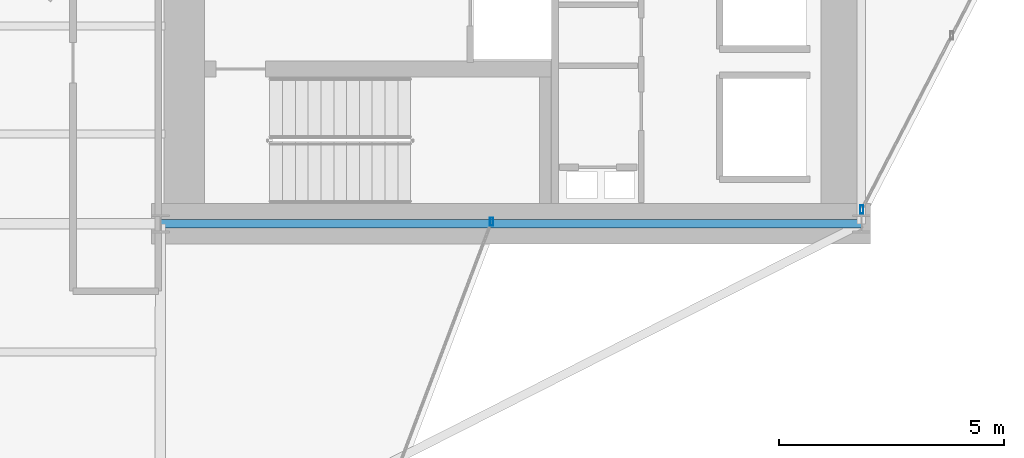
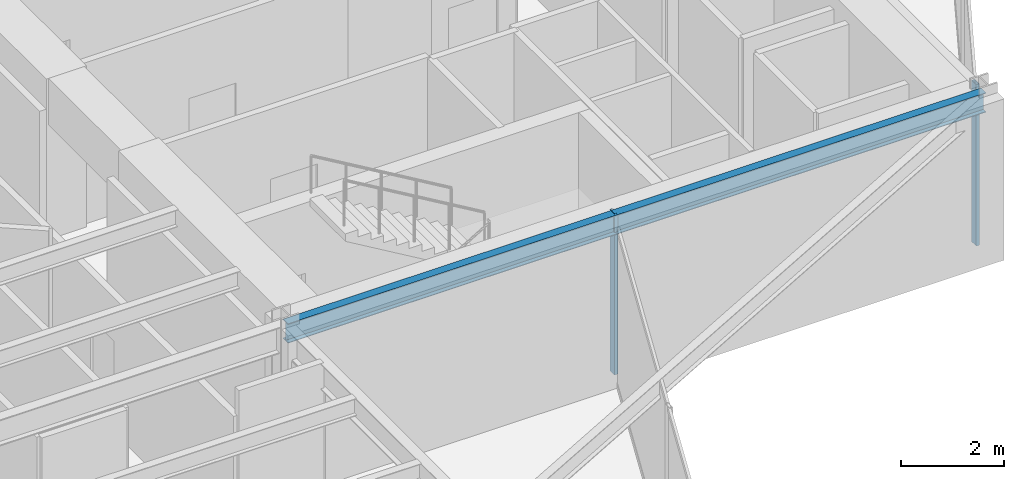
# One storey, part 15 of 29: 2 members, 1 beam, 2 elements without a shape of their own.
"""IFC4 building model written with IfcOpenShell, lengths in metres."""

import ifcopenshell
import ifcopenshell.guid

model = None  # the IFC model being written
_history = None  # IfcOwnerHistory: only IFC2X3 demands one
_inside = {}  # id of a spatial element -> (the spatial element, [elements in it])
_under = {}  # id of a project, library or spatial element -> (it, [spatial elements below it])
_declared = {}  # id of a project -> (the project, [libraries it declares])
_typed = {}  # id of a type object -> (the type object, [elements of that type])
_made_of = {}  # id of a material, layer set ... -> (it, [elements and type objects made of it])


def new_model(schema):
    """Start an empty IFC model of exactly this schema.

    Asked for "IFC4X3", IfcOpenShell would pick the latest addendum, in which some entities
    have other attributes; the version numbers below select the first issue.
    IFC2X3 requires an IfcOwnerHistory on every rooted entity: one is made here for all.
    """
    global model, _history
    if schema == "IFC4X3":
        model = ifcopenshell.file(schema_version=(4, 3, 0, 0))
    else:
        model = ifcopenshell.file(schema=schema)
    _inside.clear()
    _under.clear()
    _declared.clear()
    _typed.clear()
    _made_of.clear()
    _history = None
    if model.schema == "IFC2X3":
        org = make("IfcOrganization", Name="unknown")
        user = make(
            "IfcPersonAndOrganization",
            ThePerson=make("IfcPerson", FamilyName="unknown"),
            TheOrganization=org,
        )
        app = make(
            "IfcApplication",
            ApplicationDeveloper=org,
            Version="unknown",
            ApplicationFullName="unknown",
            ApplicationIdentifier="unknown",
        )
        _history = make(
            "IfcOwnerHistory",
            OwningUser=user,
            OwningApplication=app,
            ChangeAction="ADDED",
            CreationDate=0,
        )
    return model


def make(cls, **values):
    """One entity of the class cls with the attributes given. An attribute that is None is left unset."""
    return model.create_entity(
        cls, **{name: value for name, value in values.items() if value is not None}
    )


def rooted(cls, **values):
    """An entity with a GlobalId (a new one), such as an element, a storey or a relation."""
    return make(cls, GlobalId=ifcopenshell.guid.new(), OwnerHistory=_history, **values)


def si_unit(unit_type, name, prefix=None):
    """IfcSIUnit, for example si_unit("LENGTHUNIT", "METRE", prefix="MILLI")."""
    return make("IfcSIUnit", UnitType=unit_type, Prefix=prefix, Name=name)


def assignment(units):
    """IfcUnitAssignment: the units of a project."""
    return None if units is None else make("IfcUnitAssignment", Units=units)


def point(xyz):
    """IfcCartesianPoint."""
    return None if xyz is None else make("IfcCartesianPoint", Coordinates=xyz)


def direction(xyz):
    """IfcDirection."""
    return None if xyz is None else make("IfcDirection", DirectionRatios=xyz)


def frame(location, z_axis=None, x_axis=None):
    """IfcAxis2Placement3D, a coordinate frame: its origin and axes. An axis left out is left unset."""
    return make(
        "IfcAxis2Placement3D",
        Location=point(location),
        Axis=direction(z_axis),
        RefDirection=direction(x_axis),
    )


def frame_2d(location, x_axis=None):
    """IfcAxis2Placement2D, a coordinate frame in the plane: its origin and x axis."""
    return make(
        "IfcAxis2Placement2D", Location=point(location), RefDirection=direction(x_axis)
    )


def origin():
    """The frame at (0, 0, 0) with its axes left unset."""
    return frame((0.0, 0.0, 0.0))


def origin_2d():
    """The frame at (0, 0) in the plane with its x axis left unset."""
    return frame_2d((0.0, 0.0))


def place(relative_to, where):
    """IfcLocalPlacement: puts the frame where relative to a parent placement (None: the world)."""
    return make(
        "IfcLocalPlacement", PlacementRelTo=relative_to, RelativePlacement=where
    )


def context(
    kind, dimensions, precision=None, world=None, true_north=None, identifier=None
):
    """IfcGeometricRepresentationContext, for example the 3D "Model" context."""
    return make(
        "IfcGeometricRepresentationContext",
        ContextIdentifier=identifier,
        ContextType=kind,
        CoordinateSpaceDimension=dimensions,
        Precision=precision,
        WorldCoordinateSystem=world,
        TrueNorth=true_north,
    )


def subcontext(parent, identifier, kind, view, scale=None):
    """IfcGeometricRepresentationSubContext, for example "Body" below "Model"."""
    return make(
        "IfcGeometricRepresentationSubContext",
        ContextIdentifier=identifier,
        ContextType=kind,
        ParentContext=parent,
        TargetScale=scale,
        TargetView=view,
    )


def project(units=None, contexts=None):
    """IfcProject with its units and contexts."""
    return rooted(
        "IfcProject",
        Name="project",
        RepresentationContexts=contexts,
        UnitsInContext=assignment(units),
    )


def spatial(cls, under=None, at=None, **own):
    """A site, building, storey or space (cls), placed at a placement, below another one or the project."""
    s = rooted(cls, ObjectPlacement=at, **own)
    if under is not None:
        _under.setdefault(under.id(), (under, []))[1].append(s)
    return s


def profile(cls, at=None, kind="AREA", **sizes):
    """A parametric profile (cls). Its sizes go by their IFC names, for example OverallWidth=200.0."""
    return make(cls, ProfileType=kind, Position=at, **sizes)


def hollow_rectangle(**sizes):
    """IfcRectangleHollowProfileDef."""
    return profile("IfcRectangleHollowProfileDef", **sizes)


def i_section(**sizes):
    """IfcIShapeProfileDef."""
    return profile("IfcIShapeProfileDef", **sizes)


def extrude(swept, where, along, depth):
    """IfcExtrudedAreaSolid: the profile swept, set in the frame where, extruded along a direction by depth."""
    return make(
        "IfcExtrudedAreaSolid",
        SweptArea=swept,
        Position=where,
        ExtrudedDirection=direction(along),
        Depth=depth,
    )


def shape(context_of_items, identifier, shape_type, items):
    """IfcShapeRepresentation: the items that make up one representation, for example the "Body"."""
    return make(
        "IfcShapeRepresentation",
        ContextOfItems=context_of_items,
        RepresentationIdentifier=identifier,
        RepresentationType=shape_type,
        Items=items,
    )


def material(Name=None, Category=None):
    """IfcMaterial."""
    return make("IfcMaterial", Name=Name, Category=Category)


def layer(
    of_material, thickness, ventilated=None, Name=None, Category=None, Priority=None
):
    """IfcMaterialLayer: one layer of a wall or slab, of a material (None: an air gap)."""
    return make(
        "IfcMaterialLayer",
        Material=of_material,
        LayerThickness=thickness,
        IsVentilated=ventilated,
        Name=Name,
        Category=Category,
        Priority=Priority,
    )


def layer_set(layers, Name=None):
    """IfcMaterialLayerSet."""
    return make("IfcMaterialLayerSet", MaterialLayers=layers, LayerSetName=Name)


def material_profile(
    of_material, cross_section, Name=None, Category=None, Priority=None
):
    """IfcMaterialProfile: a cross section and its material."""
    return make(
        "IfcMaterialProfile",
        Name=Name,
        Material=of_material,
        Profile=cross_section,
        Priority=Priority,
        Category=Category,
    )


def profile_set(profiles, Name=None, composite=None):
    """IfcMaterialProfileSet."""
    return make(
        "IfcMaterialProfileSet",
        Name=Name,
        MaterialProfiles=profiles,
        CompositeProfile=composite,
    )


def made_of(thing, what):
    """Note that an element or type object is made of a material, layer set ...; save() writes the relation."""
    if what is not None:
        _made_of.setdefault(what.id(), (what, []))[1].append(thing)
    return thing


def type_object(cls, material=None, **own):
    """A type object (cls), such as IfcWallType, which elements share."""
    return made_of(rooted(cls, **own), material)


def element(
    cls,
    number,
    at=None,
    inside=None,
    cuts=None,
    type_object=None,
    material=None,
    context=None,
    identifier="Body",
    shape_type=None,
    held_by="IfcProductDefinitionShape",
    body=None,
    shapes=None,
    **own,
):
    """One element of the class cls, such as IfcWall. Its Tag is "e" and its number.

    at: its placement. inside: the storey or other place that contains it. cuts: it is an
    opening in that element (IfcRelVoidsElement). A single representation is given by context,
    identifier, shape_type and body (its items); several are given by shapes. held_by: the class
    of the entity that holds the representations. save() writes the other relations.
    """
    e = rooted(cls, Tag="e%d" % number, ObjectPlacement=at, **own)
    if body is not None:
        shapes = [shape(context, identifier, shape_type, body)]
    if shapes is not None:
        e.Representation = make(held_by, Representations=shapes)
    if inside is not None:
        _inside.setdefault(inside.id(), (inside, []))[1].append(e)
    if cuts is not None:
        rooted(
            "IfcRelVoidsElement", RelatingBuildingElement=cuts, RelatedOpeningElement=e
        )
    if type_object is not None:
        _typed.setdefault(type_object.id(), (type_object, []))[1].append(e)
    return made_of(e, material)


def aggregate(whole, parts):
    """IfcRelAggregates: a whole, such as a stair, and the parts it consists of."""
    return rooted("IfcRelAggregates", RelatingObject=whole, RelatedObjects=parts)


def save(model, path):
    """Write the relations noted so far, then the file.

    IfcRelAggregates (storeys below a building ...), IfcRelContainedInSpatialStructure (elements
    in a storey), IfcRelDefinesByType, IfcRelAssociatesMaterial and IfcRelDeclares: one each for
    every whole, place, type object, material and project.
    """
    for whole, parts in _under.values():
        aggregate(whole, parts)
    for where, things in _inside.values():
        rooted(
            "IfcRelContainedInSpatialStructure",
            RelatedElements=things,
            RelatingStructure=where,
        )
    for kind, things in _typed.values():
        rooted("IfcRelDefinesByType", RelatedObjects=things, RelatingType=kind)
    for what, things in _made_of.values():
        rooted("IfcRelAssociatesMaterial", RelatedObjects=things, RelatingMaterial=what)
    for by, libraries in _declared.values():
        rooted("IfcRelDeclares", RelatingContext=by, RelatedDefinitions=libraries)
    model.write(path)


model = new_model("IFC4")

# Units and contexts
model_context = context("Model", 3, precision=1e-05, world=origin(), true_north=direction((0.0, 1.0)))
body_context = subcontext(model_context, "Body", "Model", "MODEL_VIEW")
ifc_project = project(units=[si_unit("LENGTHUNIT", "METRE"), si_unit("AREAUNIT", "SQUARE_METRE"), si_unit("VOLUMEUNIT", "CUBIC_METRE"), si_unit("PLANEANGLEUNIT", "RADIAN"), si_unit("MASSUNIT", "GRAM", prefix="KILO")], contexts=[model_context])

# Site, building, storey
site_placement = place(None, origin())
site = spatial("IfcSite", under=ifc_project, at=site_placement, CompositionType="ELEMENT")
building_placement = place(site_placement, origin())
building = spatial("IfcBuilding", under=site, at=building_placement, Name="Veymaron Broadcast Tower", CompositionType="ELEMENT")
storey_placement = place(building_placement, frame((0.0, 0.0, 41.85009765625)))
storey = spatial("IfcBuildingStorey", under=building, at=storey_placement, Name="L08", CompositionType="ELEMENT", Elevation=41.85009765625)

# Beam
ifc_material_1 = material(Name="Structural steel ASTM A992 Gr 50", Category="steel")
ifc_material_profile_1 = material_profile(ifc_material_1, i_section(OverallWidth=0.19091796875, OverallDepth=0.4599609375, WebThickness=0.010009765625, FlangeThickness=0.01611328125, at=origin_2d()), Name="W460X82")
ifc_profile_set_1 = profile_set([ifc_material_profile_1], Name="Structural steel ASTM A992 Gr 50")
beam_type = type_object("IfcBeamType", Name="BM-SP1", PredefinedType="SPANDREL", material=ifc_profile_set_1)
beam_placement = place(storey_placement, frame((39.0, 16.0, 3.579833984375), z_axis=(1.0, 0.0, 0.0), x_axis=(0.0, 1.0, 0.0)))
element("IfcBeam", 1, at=beam_placement, inside=storey, type_object=beam_type, Name="L08 primary structural floor girder", PredefinedType="SPANDREL", context=body_context, shape_type="SweptSolid", body=[
    extrude(i_section(OverallWidth=0.19091796875, OverallDepth=0.4599609375, WebThickness=0.010009765625, FlangeThickness=0.01611328125, at=origin_2d()), origin(), (0.0, 0.0, 1.0), 15.60009765625),
])

# Curtain wall, member
ifc_material_2 = material(Name="Anodised aluminium AA 6063-T6 and laminated low-E dark glass", Category="aluminium")
ifc_layer = layer(ifc_material_2, 0.179931640625)
ifc_layer_set = layer_set([ifc_layer], Name="Anodised aluminium AA 6063-T6 and laminated low-E dark glass")
curtain_wall_type = type_object("IfcCurtainWallType", Name="CW-SYS-02", PredefinedType="NOTDEFINED", material=ifc_layer_set)
curtain_wall_1_placement = place(storey_placement, origin())
curtain_wall_1 = element("IfcCurtainWall", 2, at=curtain_wall_1_placement, inside=storey, type_object=curtain_wall_type, Name="L08 dark-glass curtain wall CW-L08-E2-1", PredefinedType="NOTDEFINED")
ifc_material_3 = material(Name="Anodised aluminium AA 6063-T6", Category="aluminium")
ifc_material_profile_2 = material_profile(ifc_material_3, hollow_rectangle(XDim=0.074951171875, YDim=0.179931640625, WallThickness=0.0048828125, at=origin_2d()), Name="AL180X75X5")
ifc_profile_set_2 = profile_set([ifc_material_profile_2], Name="Anodised aluminium AA 6063-T6")
member_type = type_object("IfcMemberType", Name="CW-MUL-02", PredefinedType="MULLION", material=ifc_profile_set_2)
member_1_placement = place(storey_placement, frame((54.607666015625, 16.319580078125, 0.0), z_axis=(0.0, 0.0, 1.0), x_axis=(1.0, 0.0, 0.0)))
member_1 = element("IfcMember", 3, at=member_1_placement, type_object=member_type, Name="CW-L08-E2-1 mullion 0", PredefinedType="MULLION", context=body_context, shape_type="SweptSolid", body=[
    extrude(hollow_rectangle(XDim=0.074951171875, YDim=0.179931640625, WallThickness=0.0048828125, at=origin_2d()), origin(), (0.0, 0.0, 1.0), 3.809814453125),
])
aggregate(curtain_wall_1, [member_1])

curtain_wall_2_placement = place(storey_placement, origin())
curtain_wall_2 = element("IfcCurtainWall", 4, at=curtain_wall_2_placement, inside=storey, type_object=curtain_wall_type, Name="L08 dark-glass curtain wall CW-L08-E20-1", PredefinedType="NOTDEFINED")
member_2_placement = place(storey_placement, frame((46.3662109375, 16.049560546875, 0.0), z_axis=(0.0, 0.0, 1.0), x_axis=(1.0, 0.0, 0.0)))
member_2 = element("IfcMember", 5, at=member_2_placement, type_object=member_type, Name="CW-L08-E20-1 mullion 2", PredefinedType="MULLION", context=body_context, shape_type="SweptSolid", body=[
    extrude(hollow_rectangle(XDim=0.074951171875, YDim=0.179931640625, WallThickness=0.0048828125, at=origin_2d()), origin(), (0.0, 0.0, 1.0), 3.809814453125),
])
aggregate(curtain_wall_2, [member_2])

save(model, "model.ifc")
